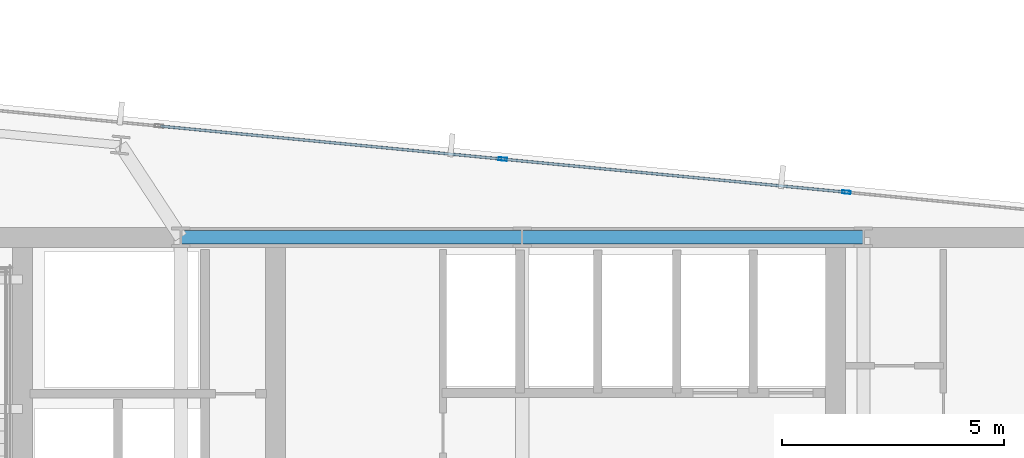
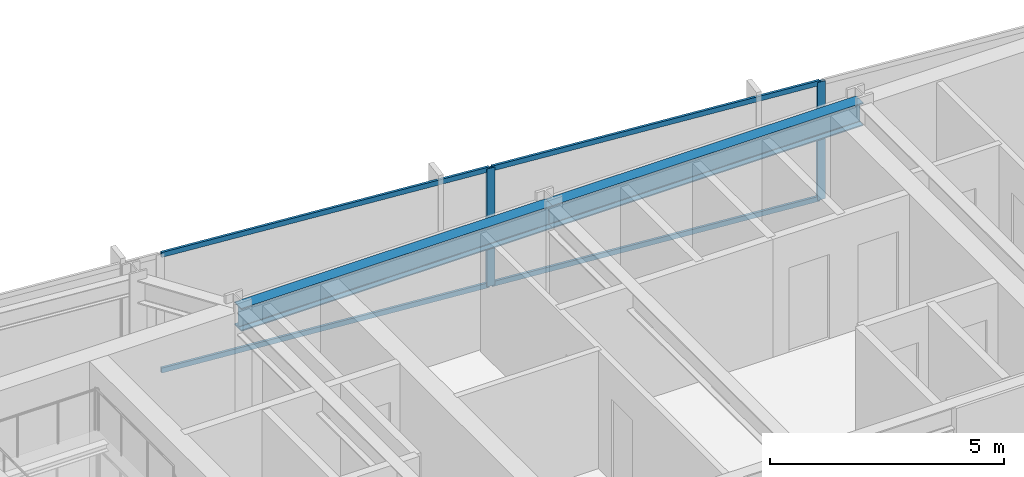
# One storey, part 26 of 36: 6 members, 2 beams, 1 element without a shape of its own.
"""IFC4 building model written with IfcOpenShell, lengths in metres."""

from ifc_helpers import new_model, si_unit, direction, frame, origin, origin_2d, place, context, subcontext, project, spatial, hollow_rectangle, i_section, extrude, material, material_profile, profile_set, type_object, element, aggregate, save


model = new_model("IFC4")

# Units and contexts
model_context = context("Model", 3, precision=1e-05, world=origin(), true_north=direction((0.0, 1.0)))
body_context = subcontext(model_context, "Body", "Model", "MODEL_VIEW")
ifc_project = project(units=[si_unit("LENGTHUNIT", "METRE"), si_unit("AREAUNIT", "SQUARE_METRE"), si_unit("VOLUMEUNIT", "CUBIC_METRE"), si_unit("PLANEANGLEUNIT", "RADIAN"), si_unit("MASSUNIT", "GRAM", prefix="KILO")], contexts=[model_context])

# Site, building, storey
site_placement = place(None, origin())
site = spatial("IfcSite", under=ifc_project, at=site_placement, CompositionType="ELEMENT")
building_placement = place(site_placement, origin())
building = spatial("IfcBuilding", under=site, at=building_placement, Name="Yelkora Congress Tower", CompositionType="ELEMENT")
storey_placement = place(building_placement, frame((0.0, 0.0, 152.300048828125)))
storey = spatial("IfcBuildingStorey", under=building, at=storey_placement, Name="L41", CompositionType="ELEMENT", Elevation=152.300048828125)

# Beams
ifc_material_1 = material(Name="Steel S355J2", Category="steel")
ifc_material_profile_1 = material_profile(ifc_material_1, i_section(OverallWidth=0.300048828125, OverallDepth=0.60009765625, WebThickness=0.015380859375, FlangeThickness=0.030029296875, FilletRadius=0.027099609375, at=origin_2d()), Name="HEB 600")
ifc_profile_set_1 = profile_set([ifc_material_profile_1], Name="Steel S355J2")
beam_type = type_object("IfcBeamType", Name="BM-GIRD-HEB600", PredefinedType="BEAM", material=ifc_profile_set_1)
beam_1_placement = place(storey_placement, frame((30.719970703125, 46.199951171875, 2.780029296875), z_axis=(1.0, 0.0, 0.0), x_axis=(0.0, 1.0, 0.0)))
element("IfcBeam", 1, at=beam_1_placement, inside=storey, type_object=beam_type, Name="L41 Core North Girder 3", PredefinedType="BEAM", context=body_context, shape_type="SweptSolid", body=[
    extrude(i_section(OverallWidth=0.300048828125, OverallDepth=0.60009765625, WebThickness=0.015380859375, FlangeThickness=0.030029296875, FilletRadius=0.027099609375, at=origin_2d()), origin(), (0.0, 0.0, 1.0), 7.679931640625),
])
beam_2_placement = place(storey_placement, frame((38.39990234375, 46.199951171875, 2.780029296875), z_axis=(1.0, 0.0, 0.0), x_axis=(0.0, 1.0, 0.0)))
element("IfcBeam", 2, at=beam_2_placement, inside=storey, type_object=beam_type, Name="L41 Core North Girder 4", PredefinedType="BEAM", context=body_context, shape_type="SweptSolid", body=[
    extrude(i_section(OverallWidth=0.300048828125, OverallDepth=0.60009765625, WebThickness=0.015380859375, FlangeThickness=0.030029296875, FilletRadius=0.027099609375, at=origin_2d()), origin(), (0.0, 0.0, 1.0), 7.68017578125),
])

# Curtain wall, members
ifc_material_2 = material(Name="Anodised aluminium and insulated glass", Category="aluminium")
curtain_wall_type = type_object("IfcCurtainWallType", Name="CW-SYS-B3", PredefinedType="NOTDEFINED", material=ifc_material_2)
curtain_wall_placement = place(storey_placement, origin())
curtain_wall = element("IfcCurtainWall", 3, at=curtain_wall_placement, inside=storey, type_object=curtain_wall_type, Name="L41 Unitised Curtain Wall 10 (1)", PredefinedType="NOTDEFINED")
ifc_material_3 = material(Name="Anodised aluminium 6063-T6", Category="aluminium")
ifc_material_profile_2 = material_profile(ifc_material_3, hollow_rectangle(XDim=0.070068359375, YDim=0.18994140625, WallThickness=0.00390625, at=origin_2d()), Name="ALU 70x190x4")
ifc_profile_set_2 = profile_set([ifc_material_profile_2], Name="Anodised aluminium 6063-T6")
member_type_1 = type_object("IfcMemberType", Name="MEM-ML-B3", PredefinedType="MULLION", material=ifc_profile_set_2)
member_1_placement = place(storey_placement, frame((37.9638671875, 47.958984375, 0.0), z_axis=(0.0, 0.0, 1.0), x_axis=(0.095844761168, 0.995396293823, 0.0)))
member_1 = element("IfcMember", 4, at=member_1_placement, type_object=member_type_1, Name="CW-B3 mullion 5", PredefinedType="MULLION", context=body_context, shape_type="SweptSolid", body=[
    extrude(hollow_rectangle(XDim=0.070068359375, YDim=0.18994140625, WallThickness=0.00390625, at=origin_2d()), origin(), (0.0, 0.0, 1.0), 3.079833984375),
])
member_2_placement = place(storey_placement, frame((45.697509765625, 47.21435546875, 0.0), z_axis=(0.0, 0.0, 1.0), x_axis=(0.095844761168, 0.995396293823, 0.0)))
member_2 = element("IfcMember", 5, at=member_2_placement, type_object=member_type_1, Name="CW-B3 mullion 6", PredefinedType="MULLION", context=body_context, shape_type="SweptSolid", body=[
    extrude(hollow_rectangle(XDim=0.070068359375, YDim=0.18994140625, WallThickness=0.00390625, at=origin_2d()), origin(), (0.0, 0.0, 1.0), 3.079833984375),
])
ifc_material_profile_3 = material_profile(ifc_material_3, hollow_rectangle(XDim=0.06005859375, YDim=0.1298828125, WallThickness=0.00390625, at=origin_2d()), Name="ALU 60x130x4")
ifc_profile_set_3 = profile_set([ifc_material_profile_3], Name="Anodised aluminium 6063-T6")
member_type_2 = type_object("IfcMemberType", Name="MEM-TR-B3", PredefinedType="USERDEFINED", material=ifc_profile_set_3)
member_3_placement = place(storey_placement, frame((30.26513671875, 48.7001953125, 0.030029296875), z_axis=(0.995398042106, -0.095826602633, 0.0), x_axis=(0.095826602633, 0.995398042106, 0.0)))
member_3 = element("IfcMember", 6, at=member_3_placement, type_object=member_type_2, Name="CW-B3 transom 4.1", ObjectType="TRANSOM", PredefinedType="USERDEFINED", context=body_context, shape_type="SweptSolid", body=[
    extrude(hollow_rectangle(XDim=0.06005859375, YDim=0.1298828125, WallThickness=0.00390625, at=origin_2d()), origin(), (0.0, 0.0, 1.0), 7.69921875),
])
member_4_placement = place(storey_placement, frame((30.26513671875, 48.7001953125, 3.050048828125), z_axis=(0.995398042106, -0.095826602633, 0.0), x_axis=(0.095826602633, 0.995398042106, 0.0)))
member_4 = element("IfcMember", 7, at=member_4_placement, type_object=member_type_2, Name="CW-B3 transom 4.2", ObjectType="TRANSOM", PredefinedType="USERDEFINED", context=body_context, shape_type="SweptSolid", body=[
    extrude(hollow_rectangle(XDim=0.06005859375, YDim=0.1298828125, WallThickness=0.00390625, at=origin_2d()), origin(), (0.0, 0.0, 1.0), 7.69921875),
])
member_5_placement = place(storey_placement, frame((37.998779296875, 47.95556640625, 0.030029296875), z_axis=(0.995398042106, -0.095826602633, 0.0), x_axis=(0.095826602633, 0.995398042106, 0.0)))
member_5 = element("IfcMember", 8, at=member_5_placement, type_object=member_type_2, Name="CW-B3 transom 5.1", ObjectType="TRANSOM", PredefinedType="USERDEFINED", context=body_context, shape_type="SweptSolid", body=[
    extrude(hollow_rectangle(XDim=0.06005859375, YDim=0.1298828125, WallThickness=0.00390625, at=origin_2d()), origin(), (0.0, 0.0, 1.0), 7.69921875),
])
member_6_placement = place(storey_placement, frame((37.998779296875, 47.95556640625, 3.050048828125), z_axis=(0.995398042106, -0.095826602633, 0.0), x_axis=(0.095826602633, 0.995398042106, 0.0)))
member_6 = element("IfcMember", 9, at=member_6_placement, type_object=member_type_2, Name="CW-B3 transom 5.2", ObjectType="TRANSOM", PredefinedType="USERDEFINED", context=body_context, shape_type="SweptSolid", body=[
    extrude(hollow_rectangle(XDim=0.06005859375, YDim=0.1298828125, WallThickness=0.00390625, at=origin_2d()), origin(), (0.0, 0.0, 1.0), 7.69921875),
])
aggregate(curtain_wall, [member_1, member_2, member_3, member_4, member_5, member_6])

save(model, "model.ifc")
